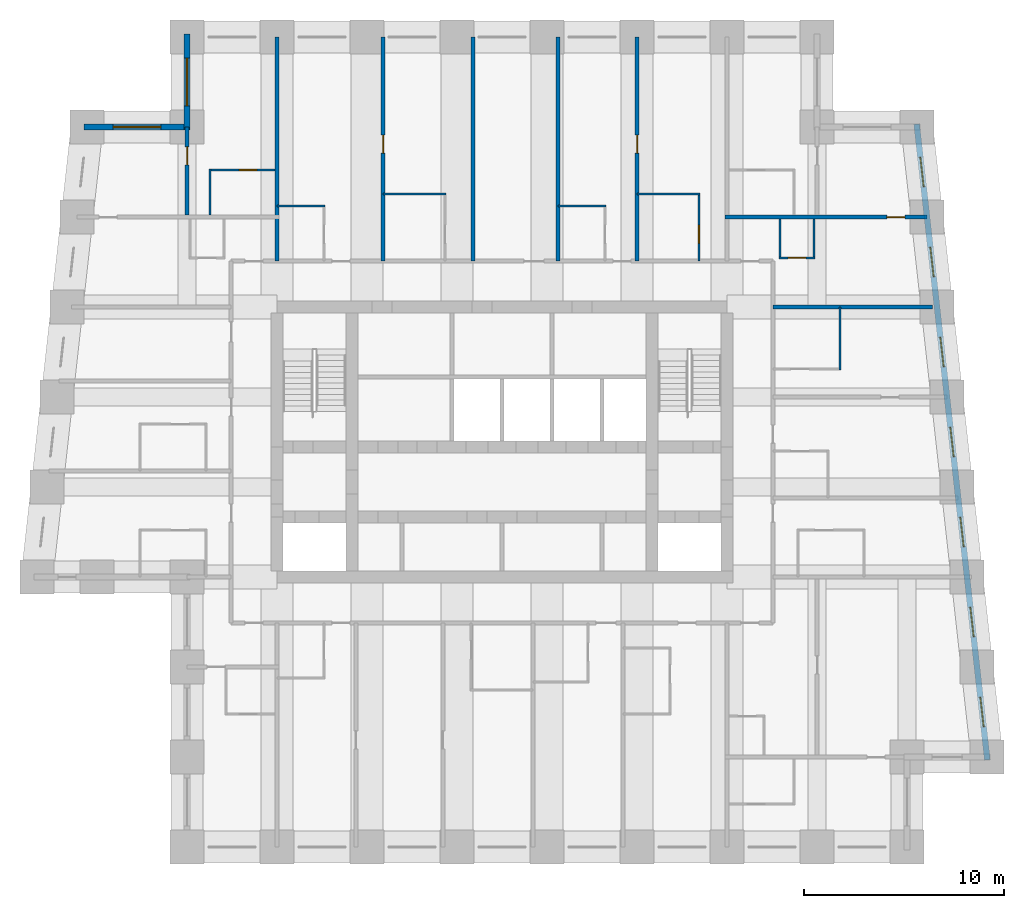
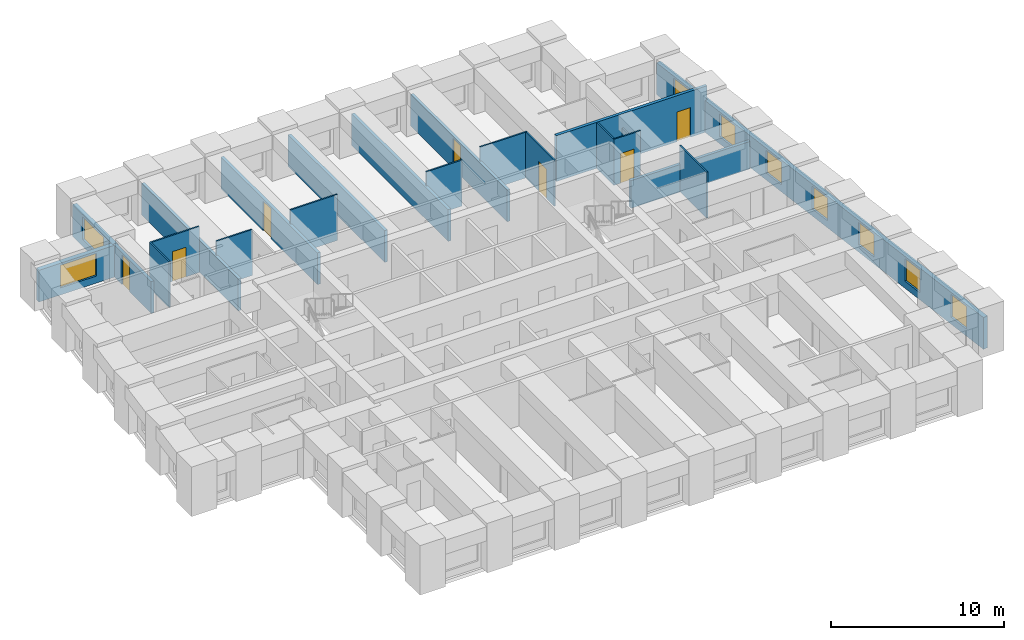
# One storey, part 6 of 8: 22 walls, 9 windows, 7 doors, 16 openings.
"""IFC4 building model written with IfcOpenShell, lengths in metres."""

import ifcopenshell
import ifcopenshell.guid

model = None  # the IFC model being written
_history = None  # IfcOwnerHistory: only IFC2X3 demands one
_inside = {}  # id of a spatial element -> (the spatial element, [elements in it])
_under = {}  # id of a project, library or spatial element -> (it, [spatial elements below it])
_declared = {}  # id of a project -> (the project, [libraries it declares])
_typed = {}  # id of a type object -> (the type object, [elements of that type])
_made_of = {}  # id of a material, layer set ... -> (it, [elements and type objects made of it])


def new_model(schema):
    """Start an empty IFC model of exactly this schema.

    Asked for "IFC4X3", IfcOpenShell would pick the latest addendum, in which some entities
    have other attributes; the version numbers below select the first issue.
    IFC2X3 requires an IfcOwnerHistory on every rooted entity: one is made here for all.
    """
    global model, _history
    if schema == "IFC4X3":
        model = ifcopenshell.file(schema_version=(4, 3, 0, 0))
    else:
        model = ifcopenshell.file(schema=schema)
    _inside.clear()
    _under.clear()
    _declared.clear()
    _typed.clear()
    _made_of.clear()
    _history = None
    if model.schema == "IFC2X3":
        org = make("IfcOrganization", Name="unknown")
        user = make(
            "IfcPersonAndOrganization",
            ThePerson=make("IfcPerson", FamilyName="unknown"),
            TheOrganization=org,
        )
        app = make(
            "IfcApplication",
            ApplicationDeveloper=org,
            Version="unknown",
            ApplicationFullName="unknown",
            ApplicationIdentifier="unknown",
        )
        _history = make(
            "IfcOwnerHistory",
            OwningUser=user,
            OwningApplication=app,
            ChangeAction="ADDED",
            CreationDate=0,
        )
    return model


def make(cls, **values):
    """One entity of the class cls with the attributes given. An attribute that is None is left unset."""
    return model.create_entity(
        cls, **{name: value for name, value in values.items() if value is not None}
    )


def rooted(cls, **values):
    """An entity with a GlobalId (a new one), such as an element, a storey or a relation."""
    return make(cls, GlobalId=ifcopenshell.guid.new(), OwnerHistory=_history, **values)


def si_unit(unit_type, name, prefix=None):
    """IfcSIUnit, for example si_unit("LENGTHUNIT", "METRE", prefix="MILLI")."""
    return make("IfcSIUnit", UnitType=unit_type, Prefix=prefix, Name=name)


def assignment(units):
    """IfcUnitAssignment: the units of a project."""
    return None if units is None else make("IfcUnitAssignment", Units=units)


def point(xyz):
    """IfcCartesianPoint."""
    return None if xyz is None else make("IfcCartesianPoint", Coordinates=xyz)


def direction(xyz):
    """IfcDirection."""
    return None if xyz is None else make("IfcDirection", DirectionRatios=xyz)


def frame(location, z_axis=None, x_axis=None):
    """IfcAxis2Placement3D, a coordinate frame: its origin and axes. An axis left out is left unset."""
    return make(
        "IfcAxis2Placement3D",
        Location=point(location),
        Axis=direction(z_axis),
        RefDirection=direction(x_axis),
    )


def frame_2d(location, x_axis=None):
    """IfcAxis2Placement2D, a coordinate frame in the plane: its origin and x axis."""
    return make(
        "IfcAxis2Placement2D", Location=point(location), RefDirection=direction(x_axis)
    )


def origin():
    """The frame at (0, 0, 0) with its axes left unset."""
    return frame((0.0, 0.0, 0.0))


def place(relative_to, where):
    """IfcLocalPlacement: puts the frame where relative to a parent placement (None: the world)."""
    return make(
        "IfcLocalPlacement", PlacementRelTo=relative_to, RelativePlacement=where
    )


def context(
    kind, dimensions, precision=None, world=None, true_north=None, identifier=None
):
    """IfcGeometricRepresentationContext, for example the 3D "Model" context."""
    return make(
        "IfcGeometricRepresentationContext",
        ContextIdentifier=identifier,
        ContextType=kind,
        CoordinateSpaceDimension=dimensions,
        Precision=precision,
        WorldCoordinateSystem=world,
        TrueNorth=true_north,
    )


def subcontext(parent, identifier, kind, view, scale=None):
    """IfcGeometricRepresentationSubContext, for example "Body" below "Model"."""
    return make(
        "IfcGeometricRepresentationSubContext",
        ContextIdentifier=identifier,
        ContextType=kind,
        ParentContext=parent,
        TargetScale=scale,
        TargetView=view,
    )


def project(units=None, contexts=None):
    """IfcProject with its units and contexts."""
    return rooted(
        "IfcProject",
        Name="project",
        RepresentationContexts=contexts,
        UnitsInContext=assignment(units),
    )


def spatial(cls, under=None, at=None, **own):
    """A site, building, storey or space (cls), placed at a placement, below another one or the project."""
    s = rooted(cls, ObjectPlacement=at, **own)
    if under is not None:
        _under.setdefault(under.id(), (under, []))[1].append(s)
    return s


def profile(cls, at=None, kind="AREA", **sizes):
    """A parametric profile (cls). Its sizes go by their IFC names, for example OverallWidth=200.0."""
    return make(cls, ProfileType=kind, Position=at, **sizes)


def rectangle(**sizes):
    """IfcRectangleProfileDef."""
    return profile("IfcRectangleProfileDef", **sizes)


def extrude(swept, where, along, depth):
    """IfcExtrudedAreaSolid: the profile swept, set in the frame where, extruded along a direction by depth."""
    return make(
        "IfcExtrudedAreaSolid",
        SweptArea=swept,
        Position=where,
        ExtrudedDirection=direction(along),
        Depth=depth,
    )


def shape(context_of_items, identifier, shape_type, items):
    """IfcShapeRepresentation: the items that make up one representation, for example the "Body"."""
    return make(
        "IfcShapeRepresentation",
        ContextOfItems=context_of_items,
        RepresentationIdentifier=identifier,
        RepresentationType=shape_type,
        Items=items,
    )


def material(Name=None, Category=None):
    """IfcMaterial."""
    return make("IfcMaterial", Name=Name, Category=Category)


def layer(
    of_material, thickness, ventilated=None, Name=None, Category=None, Priority=None
):
    """IfcMaterialLayer: one layer of a wall or slab, of a material (None: an air gap)."""
    return make(
        "IfcMaterialLayer",
        Material=of_material,
        LayerThickness=thickness,
        IsVentilated=ventilated,
        Name=Name,
        Category=Category,
        Priority=Priority,
    )


def layer_set(layers, Name=None):
    """IfcMaterialLayerSet."""
    return make("IfcMaterialLayerSet", MaterialLayers=layers, LayerSetName=Name)


def made_of(thing, what):
    """Note that an element or type object is made of a material, layer set ...; save() writes the relation."""
    if what is not None:
        _made_of.setdefault(what.id(), (what, []))[1].append(thing)
    return thing


def type_object(cls, material=None, **own):
    """A type object (cls), such as IfcWallType, which elements share."""
    return made_of(rooted(cls, **own), material)


def element(
    cls,
    number,
    at=None,
    inside=None,
    cuts=None,
    type_object=None,
    material=None,
    context=None,
    identifier="Body",
    shape_type=None,
    held_by="IfcProductDefinitionShape",
    body=None,
    shapes=None,
    **own,
):
    """One element of the class cls, such as IfcWall. Its Tag is "e" and its number.

    at: its placement. inside: the storey or other place that contains it. cuts: it is an
    opening in that element (IfcRelVoidsElement). A single representation is given by context,
    identifier, shape_type and body (its items); several are given by shapes. held_by: the class
    of the entity that holds the representations. save() writes the other relations.
    """
    e = rooted(cls, Tag="e%d" % number, ObjectPlacement=at, **own)
    if body is not None:
        shapes = [shape(context, identifier, shape_type, body)]
    if shapes is not None:
        e.Representation = make(held_by, Representations=shapes)
    if inside is not None:
        _inside.setdefault(inside.id(), (inside, []))[1].append(e)
    if cuts is not None:
        rooted(
            "IfcRelVoidsElement", RelatingBuildingElement=cuts, RelatedOpeningElement=e
        )
    if type_object is not None:
        _typed.setdefault(type_object.id(), (type_object, []))[1].append(e)
    return made_of(e, material)


def fill(opening, filler):
    """IfcRelFillsElement: the door or window that sits in an opening."""
    return rooted(
        "IfcRelFillsElement",
        RelatingOpeningElement=opening,
        RelatedBuildingElement=filler,
    )


def aggregate(whole, parts):
    """IfcRelAggregates: a whole, such as a stair, and the parts it consists of."""
    return rooted("IfcRelAggregates", RelatingObject=whole, RelatedObjects=parts)


def save(model, path):
    """Write the relations noted so far, then the file.

    IfcRelAggregates (storeys below a building ...), IfcRelContainedInSpatialStructure (elements
    in a storey), IfcRelDefinesByType, IfcRelAssociatesMaterial and IfcRelDeclares: one each for
    every whole, place, type object, material and project.
    """
    for whole, parts in _under.values():
        aggregate(whole, parts)
    for where, things in _inside.values():
        rooted(
            "IfcRelContainedInSpatialStructure",
            RelatedElements=things,
            RelatingStructure=where,
        )
    for kind, things in _typed.values():
        rooted("IfcRelDefinesByType", RelatedObjects=things, RelatingType=kind)
    for what, things in _made_of.values():
        rooted("IfcRelAssociatesMaterial", RelatedObjects=things, RelatingMaterial=what)
    for by, libraries in _declared.values():
        rooted("IfcRelDeclares", RelatingContext=by, RelatedDefinitions=libraries)
    model.write(path)


model = new_model("IFC4")

# Units and contexts
model_context = context("Model", 3, precision=1e-05, world=origin(), true_north=direction((0.0, 1.0)))
body_context = subcontext(model_context, "Body", "Model", "MODEL_VIEW")
ifc_project = project(units=[si_unit("LENGTHUNIT", "METRE"), si_unit("AREAUNIT", "SQUARE_METRE"), si_unit("VOLUMEUNIT", "CUBIC_METRE"), si_unit("PLANEANGLEUNIT", "RADIAN"), si_unit("MASSUNIT", "GRAM", prefix="KILO")], contexts=[model_context])

# Site, building, storey
site_placement = place(None, origin())
site = spatial("IfcSite", under=ifc_project, at=site_placement, CompositionType="ELEMENT")
building_placement = place(site_placement, origin())
building = spatial("IfcBuilding", under=site, at=building_placement, Name="Kilele Tower Hotel", CompositionType="ELEMENT")
storey_placement = place(building_placement, frame((0.0, 0.0, 197.39990234375)))
storey = spatial("IfcBuildingStorey", under=building, at=storey_placement, Name="L51", CompositionType="ELEMENT", Elevation=197.39990234375)

# Walls
ifc_material_1 = material(Name="Moisture-resistant board")
ifc_layer_1 = layer(ifc_material_1, 0.10009765625)
ifc_layer_set_1 = layer_set([ifc_layer_1], Name="Moisture-resistant board")
wall_type_1 = type_object("IfcWallType", Name="Bathroom partition 100", PredefinedType="PLUMBINGWALL", material=ifc_layer_set_1)
wall_1_placement = place(storey_placement, frame((41.64990234375, 23.85009765625, 0.0), z_axis=(0.0, 0.0, 1.0), x_axis=(0.0, 1.0, 0.0)))
element("IfcWall", 1, at=wall_1_placement, inside=storey, type_object=wall_type_1, Name="Bathroom partition 100 L51", PredefinedType="PLUMBINGWALL", context=body_context, shape_type="SweptSolid", body=[
    extrude(rectangle(XDim=3.14990234375, YDim=0.10009765625, at=frame_2d((1.574951171875, 0.0))), origin(), (0.0, 0.0, 1.0), 3.25),
])
wall_2_placement = place(storey_placement, frame((13.5, 32.050048828125, 0.0), z_axis=(0.0, 0.0, 1.0), x_axis=(1.0, 0.0, 0.0)))
element("IfcWall", 2, at=wall_2_placement, inside=storey, type_object=wall_type_1, Name="Bathroom partition 100 L51", PredefinedType="PLUMBINGWALL", context=body_context, shape_type="SweptSolid", body=[
    extrude(rectangle(XDim=2.39990234375, YDim=0.10009765625, at=frame_2d((1.199951171875, 0.0))), origin(), (0.0, 0.0, 1.0), 3.25),
])
wall_3_placement = place(storey_placement, frame((18.800048828125, 32.64990234375, 0.0), z_axis=(0.0, 0.0, 1.0), x_axis=(1.0, 0.0, 0.0)))
element("IfcWall", 3, at=wall_3_placement, inside=storey, type_object=wall_type_1, Name="Bathroom partition 100 L51", PredefinedType="PLUMBINGWALL", context=body_context, shape_type="SweptSolid", body=[
    extrude(rectangle(XDim=3.14990234375, YDim=0.10009765625, at=frame_2d((1.574951171875, 0.0))), origin(), (0.0, 0.0, 1.0), 3.25),
])
wall_4_placement = place(storey_placement, frame((27.550048828125, 32.050048828125, 0.0), z_axis=(0.0, 0.0, 1.0), x_axis=(1.0, 0.0, 0.0)))
element("IfcWall", 4, at=wall_4_placement, inside=storey, type_object=wall_type_1, Name="Bathroom partition 100 L51", PredefinedType="PLUMBINGWALL", context=body_context, shape_type="SweptSolid", body=[
    extrude(rectangle(XDim=2.39990234375, YDim=0.10009765625, at=frame_2d((1.199951171875, 0.0))), origin(), (0.0, 0.0, 1.0), 3.25),
])
wall_5_placement = place(storey_placement, frame((31.5, 32.64990234375, 0.0), z_axis=(0.0, 0.0, 1.0), x_axis=(1.0, 0.0, 0.0)))
element("IfcWall", 5, at=wall_5_placement, inside=storey, type_object=wall_type_1, Name="Bathroom partition 100 L51", PredefinedType="PLUMBINGWALL", context=body_context, shape_type="SweptSolid", body=[
    extrude(rectangle(XDim=3.14990234375, YDim=0.10009765625, at=frame_2d((1.574951171875, 0.0))), origin(), (0.0, 0.0, 1.0), 3.25),
])

# Wall, opening, door
wall_6_placement = place(storey_placement, frame((34.60009765625, 29.300048828125, 0.0), z_axis=(0.0, 0.0, 1.0), x_axis=(0.0, 1.0, 0.0)))
wall_6 = element("IfcWall", 6, at=wall_6_placement, inside=storey, type_object=wall_type_1, Name="Bathroom partition 100 L51", PredefinedType="PLUMBINGWALL", context=body_context, shape_type="SweptSolid", body=[
    extrude(rectangle(XDim=3.39990234375, YDim=0.10009765625, at=frame_2d((1.699951171875, 0.0))), origin(), (0.0, 0.0, 1.0), 3.25),
])
opening_1_placement = place(wall_6_placement, frame((1.7998046875, 0.0, 0.0), z_axis=(0.0, 0.0, 1.0), x_axis=(-1.0, 0.0, 0.0)))
opening_1 = element("IfcOpeningElement", 7, at=opening_1_placement, cuts=wall_6, Name="Opening D2A", PredefinedType="OPENING", context=body_context, shape_type="SweptSolid", body=[
    extrude(rectangle(XDim=0.89990234375, YDim=2.10009765625, at=frame_2d((0.449951171875, 1.050048828125))), frame((0.0, 0.06005859375, 0.0), z_axis=(0.0, -1.0, 0.0), x_axis=(1.0, 0.0, 0.0)), (0.0, 0.0, 1.0), 0.1201171875),
])
ifc_material_2 = material(Name="Timber door leaf in hardwood frame", Category="wood")
door_type_1 = type_object("IfcDoorType", Name="Bathroom door 900", OperationType="SINGLE_SWING_LEFT", PredefinedType="DOOR", material=ifc_material_2)
door_1_placement = place(opening_1_placement, origin())
door_1 = element("IfcDoor", 8, at=door_1_placement, inside=storey, type_object=door_type_1, Name="Bathroom door 5113B", OperationType="SINGLE_SWING_RIGHT", OverallHeight=2.10009765625, OverallWidth=0.89990234375, PredefinedType="DOOR", context=body_context, shape_type="SweptSolid", body=[
    extrude(rectangle(XDim=0.89990234375, YDim=2.10009765625, at=frame_2d((0.449951171875, 1.050048828125))), frame((0.0, 0.02490234375, 0.0), z_axis=(0.0, -1.0, 0.0), x_axis=(1.0, 0.0, 0.0)), (0.0, 0.0, 1.0), 0.050048828125),
])
fill(opening_1, door_1)

# Walls
wall_7_placement = place(storey_placement, frame((40.35009765625, 31.39990234375, 0.0), z_axis=(0.0, 0.0, 1.0), x_axis=(0.0, -1.0, 0.0)))
element("IfcWall", 9, at=wall_7_placement, inside=storey, type_object=wall_type_1, Name="Bathroom partition 100 L51", PredefinedType="PLUMBINGWALL", context=body_context, shape_type="SweptSolid", body=[
    extrude(rectangle(XDim=2.0, YDim=0.10009765625, at=frame_2d((1.0, 0.0))), origin(), (0.0, 0.0, 1.0), 2.25),
])
wall_8_placement = place(storey_placement, frame((38.64990234375, 31.39990234375, 0.0), z_axis=(0.0, 0.0, 1.0), x_axis=(0.0, -1.0, 0.0)))
element("IfcWall", 10, at=wall_8_placement, inside=storey, type_object=wall_type_1, Name="Bathroom partition 100 L51", PredefinedType="PLUMBINGWALL", context=body_context, shape_type="SweptSolid", body=[
    extrude(rectangle(XDim=2.0, YDim=0.10009765625, at=frame_2d((1.0, 0.0))), origin(), (0.0, 0.0, 1.0), 3.25),
])

# Wall, opening, door
wall_9_placement = place(storey_placement, frame((38.60009765625, 29.449951171875, 0.0), z_axis=(0.0, 0.0, 1.0), x_axis=(1.0, 0.0, 0.0)))
wall_9 = element("IfcWall", 11, at=wall_9_placement, inside=storey, type_object=wall_type_1, Name="Bathroom partition 100 L51", PredefinedType="PLUMBINGWALL", context=body_context, shape_type="SweptSolid", body=[
    extrude(rectangle(XDim=1.7998046875, YDim=0.10009765625, at=frame_2d((0.89990234375, 0.0))), origin(), (0.0, 0.0, 1.0), 3.25),
])
opening_2_placement = place(wall_9_placement, frame((1.349853515625, 0.0, 0.0), z_axis=(0.0, 0.0, 1.0), x_axis=(-1.0, 0.0, 0.0)))
opening_2 = element("IfcOpeningElement", 12, at=opening_2_placement, cuts=wall_9, Name="Opening D2A", PredefinedType="OPENING", context=body_context, shape_type="SweptSolid", body=[
    extrude(rectangle(XDim=0.89990234375, YDim=2.10009765625, at=frame_2d((0.449951171875, 1.050048828125))), frame((0.0, 0.06005859375, 0.0), z_axis=(0.0, -1.0, 0.0), x_axis=(1.0, 0.0, 0.0)), (0.0, 0.0, 1.0), 0.1201171875),
])
door_2_placement = place(opening_2_placement, origin())
door_2 = element("IfcDoor", 13, at=door_2_placement, inside=storey, type_object=door_type_1, Name="Bathroom door 5122P", OperationType="SINGLE_SWING_RIGHT", OverallHeight=2.10009765625, OverallWidth=0.89990234375, PredefinedType="DOOR", context=body_context, shape_type="SweptSolid", body=[
    extrude(rectangle(XDim=0.89990234375, YDim=2.10009765625, at=frame_2d((0.449951171875, 1.050048828125))), frame((0.0, 0.02490234375, 0.0), z_axis=(0.0, -1.0, 0.0), x_axis=(1.0, 0.0, 0.0)), (0.0, 0.0, 1.0), 0.050048828125),
])
fill(opening_2, door_2)

# Wall
wall_10_placement = place(storey_placement, frame((10.14990234375, 31.60009765625, 0.0), z_axis=(0.0, 0.0, 1.0), x_axis=(0.0, 1.0, 0.0)))
element("IfcWall", 14, at=wall_10_placement, inside=storey, type_object=wall_type_1, Name="Bathroom partition 100 L51", PredefinedType="PLUMBINGWALL", context=body_context, shape_type="SweptSolid", body=[
    extrude(rectangle(XDim=2.2998046875, YDim=0.10009765625, at=frame_2d((1.14990234375, 0.0))), origin(), (0.0, 0.0, 1.0), 3.25),
])

# Wall, opening, door
wall_11_placement = place(storey_placement, frame((13.39990234375, 33.85009765625, 0.0), z_axis=(0.0, 0.0, 1.0), x_axis=(-1.0, 0.0, 0.0)))
wall_11 = element("IfcWall", 15, at=wall_11_placement, inside=storey, type_object=wall_type_1, Name="Bathroom partition 100 L51", PredefinedType="PLUMBINGWALL", context=body_context, shape_type="SweptSolid", body=[
    extrude(rectangle(XDim=3.2998046875, YDim=0.10009765625, at=frame_2d((1.64990234375, 0.0))), origin(), (0.0, 0.0, 1.0), 3.25),
])
opening_3_placement = place(wall_11_placement, frame((1.7998046875, 0.0, 0.0), z_axis=(0.0, 0.0, 1.0), x_axis=(-1.0, 0.0, 0.0)))
opening_3 = element("IfcOpeningElement", 16, at=opening_3_placement, cuts=wall_11, Name="Opening D2A", PredefinedType="OPENING", context=body_context, shape_type="SweptSolid", body=[
    extrude(rectangle(XDim=0.89990234375, YDim=2.10009765625, at=frame_2d((0.449951171875, 1.050048828125))), frame((0.0, 0.06005859375, 0.0), z_axis=(0.0, -1.0, 0.0), x_axis=(1.0, 0.0, 0.0)), (0.0, 0.0, 1.0), 0.1201171875),
])
door_3_placement = place(opening_3_placement, origin())
door_3 = element("IfcDoor", 17, at=door_3_placement, inside=storey, type_object=door_type_1, Name="Bathroom door 5126B", OperationType="SINGLE_SWING_RIGHT", OverallHeight=2.10009765625, OverallWidth=0.89990234375, PredefinedType="DOOR", context=body_context, shape_type="SweptSolid", body=[
    extrude(rectangle(XDim=0.89990234375, YDim=2.10009765625, at=frame_2d((0.449951171875, 1.050048828125))), frame((0.0, 0.02490234375, 0.0), z_axis=(0.0, -1.0, 0.0), x_axis=(1.0, 0.0, 0.0)), (0.0, 0.0, 1.0), 0.050048828125),
])
fill(opening_3, door_3)

ifc_material_3 = material(Name="Blockwork, plastered both sides", Category="masonry")
ifc_layer_2 = layer(ifc_material_3, 0.199951171875)
ifc_layer_set_2 = layer_set([ifc_layer_2], Name="Blockwork, plastered both sides")
wall_type_2 = type_object("IfcWallType", Name="Partition wall 200", PredefinedType="PARTITIONING", material=ifc_layer_set_2)
wall_12_placement = place(storey_placement, frame((9.0, 31.60009765625, 0.0), z_axis=(0.0, 0.0, 1.0), x_axis=(0.0, 1.0, 0.0)))
wall_12 = element("IfcWall", 18, at=wall_12_placement, inside=storey, type_object=wall_type_2, Name="Partition wall 200 L51", PredefinedType="PARTITIONING", context=body_context, shape_type="SweptSolid", body=[
    extrude(rectangle(XDim=4.39990234375, YDim=0.199951171875, at=frame_2d((2.199951171875, 0.0))), origin(), (0.0, 0.0, 1.0), 2.25),
])
opening_4_placement = place(wall_12_placement, frame((2.5, 0.0, 0.0)))
opening_4 = element("IfcOpeningElement", 19, at=opening_4_placement, cuts=wall_12, Name="Opening D3", PredefinedType="OPENING", context=body_context, shape_type="SweptSolid", body=[
    extrude(rectangle(XDim=0.89990234375, YDim=2.10009765625, at=frame_2d((0.449951171875, 1.050048828125))), frame((0.0, 0.10986328125, 0.0), z_axis=(0.0, -1.0, 0.0), x_axis=(1.0, 0.0, 0.0)), (0.0, 0.0, 1.0), 0.219970703125),
])
ifc_material_4 = material(Name="Timber door leaf in hardwood frame", Category="wood")
door_type_2 = type_object("IfcDoorType", Name="Suite internal door 900", OperationType="SINGLE_SWING_LEFT", PredefinedType="DOOR", material=ifc_material_4)
door_4_placement = place(opening_4_placement, origin())
door_4 = element("IfcDoor", 20, at=door_4_placement, inside=storey, type_object=door_type_2, Name="Suite door 5127", OperationType="SINGLE_SWING_RIGHT", OverallHeight=2.10009765625, OverallWidth=0.89990234375, PredefinedType="DOOR", context=body_context, shape_type="SweptSolid", body=[
    extrude(rectangle(XDim=0.89990234375, YDim=2.10009765625, at=frame_2d((0.449951171875, 1.050048828125))), frame((0.0, 0.02490234375, 0.0), z_axis=(0.0, -1.0, 0.0), x_axis=(1.0, 0.0, 0.0)), (0.0, 0.0, 1.0), 0.050048828125),
])
fill(opening_4, door_4)

ifc_material_5 = material(Name="Blockwork, plastered both sides", Category="masonry")
ifc_layer_3 = layer(ifc_material_5, 0.199951171875)
ifc_layer_set_3 = layer_set([ifc_layer_3], Name="Blockwork, plastered both sides")
wall_type_3 = type_object("IfcWallType", Name="Party wall 200", PredefinedType="PARTITIONING", material=ifc_layer_set_3)
wall_13_placement = place(storey_placement, frame((18.800048828125, 29.300048828125, 0.0), z_axis=(0.0, 0.0, 1.0), x_axis=(0.0, 1.0, 0.0)))
wall_13 = element("IfcWall", 21, at=wall_13_placement, inside=storey, type_object=wall_type_3, Name="Party wall 200 L51", PredefinedType="PARTITIONING", context=body_context, shape_type="SweptSolid", body=[
    extrude(rectangle(XDim=11.199951171875, YDim=0.199951171875, at=frame_2d((5.60009765625, 0.0))), origin(), (0.0, 0.0, 1.0), 2.25),
])
opening_5_placement = place(wall_13_placement, frame((5.39990234375, 0.0, 0.0)))
opening_5 = element("IfcOpeningElement", 22, at=opening_5_placement, cuts=wall_13, Name="Opening D3", PredefinedType="OPENING", context=body_context, shape_type="SweptSolid", body=[
    extrude(rectangle(XDim=0.89990234375, YDim=2.10009765625, at=frame_2d((0.449951171875, 1.050048828125))), frame((0.0, 0.10986328125, 0.0), z_axis=(0.0, -1.0, 0.0), x_axis=(1.0, 0.0, 0.0)), (0.0, 0.0, 1.0), 0.219970703125),
])
door_5_placement = place(opening_5_placement, origin())
door_5 = element("IfcDoor", 23, at=door_5_placement, inside=storey, type_object=door_type_2, Name="Suite door 5110", OperationType="SINGLE_SWING_RIGHT", OverallHeight=2.10009765625, OverallWidth=0.89990234375, PredefinedType="DOOR", context=body_context, shape_type="SweptSolid", body=[
    extrude(rectangle(XDim=0.89990234375, YDim=2.10009765625, at=frame_2d((0.449951171875, 1.050048828125))), frame((0.0, 0.02490234375, 0.0), z_axis=(0.0, -1.0, 0.0), x_axis=(1.0, 0.0, 0.0)), (0.0, 0.0, 1.0), 0.050048828125),
])
fill(opening_5, door_5)

# Walls
for number, where, z_axis, x_axis, name in (
    (24, (23.300048828125, 29.300048828125, 0.0), (0.0, 0.0, 1.0), (0.0, 1.0, 0.0), "Party wall 200 L51"),
    (25, (27.550048828125, 29.300048828125, 0.0), (0.0, 0.0, 1.0), (0.0, 1.0, 0.0), "Party wall 200 L51"),
):
    element("IfcWall", number, at=place(storey_placement, frame(where, z_axis=z_axis, x_axis=x_axis)), inside=storey, type_object=wall_type_3, Name=name, PredefinedType="PARTITIONING", context=body_context, shape_type="SweptSolid", body=[
        extrude(rectangle(XDim=11.199951171875, YDim=0.199951171875, at=frame_2d((5.60009765625, 0.0))), origin(), (0.0, 0.0, 1.0), 2.25),
    ])

# Wall, opening, door
wall_14_placement = place(storey_placement, frame((31.5, 29.300048828125, 0.0), z_axis=(0.0, 0.0, 1.0), x_axis=(0.0, 1.0, 0.0)))
wall_14 = element("IfcWall", 26, at=wall_14_placement, inside=storey, type_object=wall_type_3, Name="Party wall 200 L51", PredefinedType="PARTITIONING", context=body_context, shape_type="SweptSolid", body=[
    extrude(rectangle(XDim=11.199951171875, YDim=0.199951171875, at=frame_2d((5.60009765625, 0.0))), origin(), (0.0, 0.0, 1.0), 2.25),
])
opening_6_placement = place(wall_14_placement, frame((5.39990234375, 0.0, 0.0)))
opening_6 = element("IfcOpeningElement", 27, at=opening_6_placement, cuts=wall_14, Name="Opening D3", PredefinedType="OPENING", context=body_context, shape_type="SweptSolid", body=[
    extrude(rectangle(XDim=0.89990234375, YDim=2.10009765625, at=frame_2d((0.449951171875, 1.050048828125))), frame((0.0, 0.10986328125, 0.0), z_axis=(0.0, -1.0, 0.0), x_axis=(1.0, 0.0, 0.0)), (0.0, 0.0, 1.0), 0.219970703125),
])
door_6_placement = place(opening_6_placement, origin())
door_6 = element("IfcDoor", 28, at=door_6_placement, inside=storey, type_object=door_type_2, Name="Suite door 5113", OperationType="SINGLE_SWING_RIGHT", OverallHeight=2.10009765625, OverallWidth=0.89990234375, PredefinedType="DOOR", context=body_context, shape_type="SweptSolid", body=[
    extrude(rectangle(XDim=0.89990234375, YDim=2.10009765625, at=frame_2d((0.449951171875, 1.050048828125))), frame((0.0, 0.02490234375, 0.0), z_axis=(0.0, -1.0, 0.0), x_axis=(1.0, 0.0, 0.0)), (0.0, 0.0, 1.0), 0.050048828125),
])
fill(opening_6, door_6)

# Wall
wall_15_placement = place(storey_placement, frame((38.300048828125, 27.0, 0.0), z_axis=(0.0, 0.0, 1.0), x_axis=(1.0, 0.0, 0.0)))
element("IfcWall", 29, at=wall_15_placement, inside=storey, type_object=wall_type_3, Name="Party wall 200 L51", PredefinedType="PARTITIONING", context=body_context, shape_type="SweptSolid", body=[
    extrude(rectangle(XDim=7.976806640625, YDim=0.199951171875, at=frame_2d((3.98828125, 0.0))), origin(), (0.0, 0.0, 1.0), 1.9501953125),
])

# Wall, opening, door
wall_16_placement = place(storey_placement, frame((35.89990234375, 31.5, 0.0), z_axis=(0.0, 0.0, 1.0), x_axis=(1.0, 0.0, 0.0)))
wall_16 = element("IfcWall", 30, at=wall_16_placement, inside=storey, type_object=wall_type_3, Name="Party wall 200 L51", PredefinedType="PARTITIONING", context=body_context, shape_type="SweptSolid", body=[
    extrude(rectangle(XDim=10.09912109375, YDim=0.199951171875, at=frame_2d((5.049560546875, 0.0))), origin(), (0.0, 0.0, 1.0), 3.25),
])
opening_7_placement = place(wall_16_placement, frame((8.09912109375, 0.0, 0.0)))
opening_7 = element("IfcOpeningElement", 31, at=opening_7_placement, cuts=wall_16, Name="Opening D3", PredefinedType="OPENING", context=body_context, shape_type="SweptSolid", body=[
    extrude(rectangle(XDim=0.89990234375, YDim=2.10009765625, at=frame_2d((0.449951171875, 1.050048828125))), frame((0.0, 0.10986328125, 0.0), z_axis=(0.0, -1.0, 0.0), x_axis=(1.0, 0.0, 0.0)), (0.0, 0.0, 1.0), 0.219970703125),
])
door_7_placement = place(opening_7_placement, origin())
door_7 = element("IfcDoor", 32, at=door_7_placement, inside=storey, type_object=door_type_2, Name="Suite door 5123", OperationType="SINGLE_SWING_RIGHT", OverallHeight=2.10009765625, OverallWidth=0.89990234375, PredefinedType="DOOR", context=body_context, shape_type="SweptSolid", body=[
    extrude(rectangle(XDim=0.89990234375, YDim=2.10009765625, at=frame_2d((0.449951171875, 1.050048828125))), frame((0.0, 0.02490234375, 0.0), z_axis=(0.0, -1.0, 0.0), x_axis=(1.0, 0.0, 0.0)), (0.0, 0.0, 1.0), 0.050048828125),
])
fill(opening_7, door_7)

# Wall
wall_17_placement = place(storey_placement, frame((13.5, 29.300048828125, 0.0), z_axis=(0.0, 0.0, 1.0), x_axis=(0.0, 1.0, 0.0)))
element("IfcWall", 33, at=wall_17_placement, inside=storey, type_object=wall_type_3, Name="Party wall 200 L51", PredefinedType="PARTITIONING", context=body_context, shape_type="SweptSolid", body=[
    extrude(rectangle(XDim=11.199951171875, YDim=0.199951171875, at=frame_2d((5.60009765625, 0.0))), origin(), (0.0, 0.0, 1.0), 2.25),
])

# Wall, openings, windows
ifc_material_6 = material(Name="Concrete C40/50 precast", Category="concrete")
ifc_layer_4 = layer(ifc_material_6, 0.260009765625, Name="Precast backing", Category="LoadBearing")
ifc_material_7 = material(Name="Reconstituted stone finish", Category="masonry")
ifc_layer_5 = layer(ifc_material_7, 0.0400390625, Name="Face mix", Category="Finish")
ifc_layer_set_4 = layer_set([ifc_layer_4, ifc_layer_5], Name="Precast concrete C40/50, reconstituted stone finish")
wall_type_4 = type_object("IfcWallType", Name="Precast stone facade wall 300", PredefinedType="STANDARD", material=ifc_layer_set_4)
wall_18_placement = place(storey_placement, frame((49.0166015625, 4.350830078125, 0.0), z_axis=(0.0, 0.0, 1.0), x_axis=(-0.110433201132, 0.993883548555, 0.0)))
wall_18 = element("IfcWall", 34, at=wall_18_placement, inside=storey, type_object=wall_type_4, Name="Facade wall L51 edge 6", PredefinedType="STANDARD", context=body_context, shape_type="SweptSolid", body=[
    extrude(rectangle(XDim=31.994140625, YDim=0.300048828125, at=frame_2d((15.9970703125, 0.0))), origin(), (0.0, 0.0, 1.0), 2.25),
])
opening_8_placement = place(wall_18_placement, frame((1.6640625, 0.0, 0.5)))
opening_8 = element("IfcOpeningElement", 35, at=opening_8_placement, cuts=wall_18, Name="Opening W3", PredefinedType="OPENING", context=body_context, shape_type="SweptSolid", body=[
    extrude(rectangle(XDim=1.5, YDim=1.60009765625, at=frame_2d((0.75, 0.800048828125))), frame((0.0, 0.159912109375, 0.0), z_axis=(0.0, -1.0, 0.0), x_axis=(1.0, 0.0, 0.0)), (0.0, 0.0, 1.0), 0.320068359375),
])
opening_9_placement = place(wall_18_placement, frame((6.19189453125, 0.0, 0.5)))
opening_9 = element("IfcOpeningElement", 36, at=opening_9_placement, cuts=wall_18, Name="Opening W3", PredefinedType="OPENING", context=body_context, shape_type="SweptSolid", body=[
    extrude(rectangle(XDim=1.5, YDim=1.60009765625, at=frame_2d((0.75, 0.800048828125))), frame((0.0, 0.159912109375, 0.0), z_axis=(0.0, -1.0, 0.0), x_axis=(1.0, 0.0, 0.0)), (0.0, 0.0, 1.0), 0.320068359375),
])
opening_10_placement = place(wall_18_placement, frame((10.718994140625, 0.0, 0.5)))
opening_10 = element("IfcOpeningElement", 37, at=opening_10_placement, cuts=wall_18, Name="Opening W3", PredefinedType="OPENING", context=body_context, shape_type="SweptSolid", body=[
    extrude(rectangle(XDim=1.5, YDim=1.60009765625, at=frame_2d((0.75, 0.800048828125))), frame((0.0, 0.159912109375, 0.0), z_axis=(0.0, -1.0, 0.0), x_axis=(1.0, 0.0, 0.0)), (0.0, 0.0, 1.0), 0.320068359375),
])
opening_11_placement = place(wall_18_placement, frame((15.2470703125, 0.0, 0.5)))
opening_11 = element("IfcOpeningElement", 38, at=opening_11_placement, cuts=wall_18, Name="Opening W3", PredefinedType="OPENING", context=body_context, shape_type="SweptSolid", body=[
    extrude(rectangle(XDim=1.5, YDim=1.60009765625, at=frame_2d((0.75, 0.800048828125))), frame((0.0, 0.159912109375, 0.0), z_axis=(0.0, -1.0, 0.0), x_axis=(1.0, 0.0, 0.0)), (0.0, 0.0, 1.0), 0.320068359375),
])
opening_12_placement = place(wall_18_placement, frame((19.77490234375, 0.0, 0.5)))
opening_12 = element("IfcOpeningElement", 39, at=opening_12_placement, cuts=wall_18, Name="Opening W3", PredefinedType="OPENING", context=body_context, shape_type="SweptSolid", body=[
    extrude(rectangle(XDim=1.5, YDim=1.60009765625, at=frame_2d((0.75, 0.800048828125))), frame((0.0, 0.159912109375, 0.0), z_axis=(0.0, -1.0, 0.0), x_axis=(1.0, 0.0, 0.0)), (0.0, 0.0, 1.0), 0.320068359375),
])
opening_13_placement = place(wall_18_placement, frame((24.302001953125, 0.0, 0.5)))
opening_13 = element("IfcOpeningElement", 40, at=opening_13_placement, cuts=wall_18, Name="Opening W3", PredefinedType="OPENING", context=body_context, shape_type="SweptSolid", body=[
    extrude(rectangle(XDim=1.5, YDim=1.60009765625, at=frame_2d((0.75, 0.800048828125))), frame((0.0, 0.159912109375, 0.0), z_axis=(0.0, -1.0, 0.0), x_axis=(1.0, 0.0, 0.0)), (0.0, 0.0, 1.0), 0.320068359375),
])
opening_14_placement = place(wall_18_placement, frame((28.830078125, 0.0, 0.5)))
opening_14 = element("IfcOpeningElement", 41, at=opening_14_placement, cuts=wall_18, Name="Opening W3", PredefinedType="OPENING", context=body_context, shape_type="SweptSolid", body=[
    extrude(rectangle(XDim=1.5, YDim=1.60009765625, at=frame_2d((0.75, 0.800048828125))), frame((0.0, 0.159912109375, 0.0), z_axis=(0.0, -1.0, 0.0), x_axis=(1.0, 0.0, 0.0)), (0.0, 0.0, 1.0), 0.320068359375),
])
ifc_material_8 = material(Name="Aluminium frame, clear double glazing", Category="aluminium")
window_type_1 = type_object("IfcWindowType", Name="Window W3 1500 x 1600", PartitioningType="SINGLE_PANEL", PredefinedType="WINDOW", material=ifc_material_8)
window_1_placement = place(opening_8_placement, origin())
window_1 = element("IfcWindow", 42, at=window_1_placement, inside=storey, type_object=window_type_1, Name="Window L51", OverallHeight=1.60009765625, OverallWidth=1.5, PartitioningType="SINGLE_PANEL", PredefinedType="WINDOW", context=body_context, shape_type="SweptSolid", body=[
    extrude(rectangle(XDim=1.5, YDim=1.60009765625, at=frame_2d((0.75, 0.800048828125))), frame((0.0, 0.030029296875, 0.0), z_axis=(0.0, -1.0, 0.0), x_axis=(1.0, 0.0, 0.0)), (0.0, 0.0, 1.0), 0.06005859375),
])
fill(opening_8, window_1)
window_2_placement = place(opening_9_placement, origin())
window_2 = element("IfcWindow", 43, at=window_2_placement, inside=storey, type_object=window_type_1, Name="Window L51", OverallHeight=1.60009765625, OverallWidth=1.5, PartitioningType="SINGLE_PANEL", PredefinedType="WINDOW", context=body_context, shape_type="SweptSolid", body=[
    extrude(rectangle(XDim=1.5, YDim=1.60009765625, at=frame_2d((0.75, 0.800048828125))), frame((0.0, 0.030029296875, 0.0), z_axis=(0.0, -1.0, 0.0), x_axis=(1.0, 0.0, 0.0)), (0.0, 0.0, 1.0), 0.06005859375),
])
fill(opening_9, window_2)
window_3_placement = place(opening_10_placement, origin())
window_3 = element("IfcWindow", 44, at=window_3_placement, inside=storey, type_object=window_type_1, Name="Window L51", OverallHeight=1.60009765625, OverallWidth=1.5, PartitioningType="SINGLE_PANEL", PredefinedType="WINDOW", context=body_context, shape_type="SweptSolid", body=[
    extrude(rectangle(XDim=1.5, YDim=1.60009765625, at=frame_2d((0.75, 0.800048828125))), frame((0.0, 0.030029296875, 0.0), z_axis=(0.0, -1.0, 0.0), x_axis=(1.0, 0.0, 0.0)), (0.0, 0.0, 1.0), 0.06005859375),
])
fill(opening_10, window_3)
window_4_placement = place(opening_11_placement, origin())
window_4 = element("IfcWindow", 45, at=window_4_placement, inside=storey, type_object=window_type_1, Name="Window L51", OverallHeight=1.60009765625, OverallWidth=1.5, PartitioningType="SINGLE_PANEL", PredefinedType="WINDOW", context=body_context, shape_type="SweptSolid", body=[
    extrude(rectangle(XDim=1.5, YDim=1.60009765625, at=frame_2d((0.75, 0.800048828125))), frame((0.0, 0.030029296875, 0.0), z_axis=(0.0, -1.0, 0.0), x_axis=(1.0, 0.0, 0.0)), (0.0, 0.0, 1.0), 0.06005859375),
])
fill(opening_11, window_4)
window_5_placement = place(opening_12_placement, origin())
window_5 = element("IfcWindow", 46, at=window_5_placement, inside=storey, type_object=window_type_1, Name="Window L51", OverallHeight=1.60009765625, OverallWidth=1.5, PartitioningType="SINGLE_PANEL", PredefinedType="WINDOW", context=body_context, shape_type="SweptSolid", body=[
    extrude(rectangle(XDim=1.5, YDim=1.60009765625, at=frame_2d((0.75, 0.800048828125))), frame((0.0, 0.030029296875, 0.0), z_axis=(0.0, -1.0, 0.0), x_axis=(1.0, 0.0, 0.0)), (0.0, 0.0, 1.0), 0.06005859375),
])
fill(opening_12, window_5)
window_6_placement = place(opening_13_placement, origin())
window_6 = element("IfcWindow", 47, at=window_6_placement, inside=storey, type_object=window_type_1, Name="Window L51", OverallHeight=1.60009765625, OverallWidth=1.5, PartitioningType="SINGLE_PANEL", PredefinedType="WINDOW", context=body_context, shape_type="SweptSolid", body=[
    extrude(rectangle(XDim=1.5, YDim=1.60009765625, at=frame_2d((0.75, 0.800048828125))), frame((0.0, 0.030029296875, 0.0), z_axis=(0.0, -1.0, 0.0), x_axis=(1.0, 0.0, 0.0)), (0.0, 0.0, 1.0), 0.06005859375),
])
fill(opening_13, window_6)
window_7_placement = place(opening_14_placement, origin())
window_7 = element("IfcWindow", 48, at=window_7_placement, inside=storey, type_object=window_type_1, Name="Window L51", OverallHeight=1.60009765625, OverallWidth=1.5, PartitioningType="SINGLE_PANEL", PredefinedType="WINDOW", context=body_context, shape_type="SweptSolid", body=[
    extrude(rectangle(XDim=1.5, YDim=1.60009765625, at=frame_2d((0.75, 0.800048828125))), frame((0.0, 0.030029296875, 0.0), z_axis=(0.0, -1.0, 0.0), x_axis=(1.0, 0.0, 0.0)), (0.0, 0.0, 1.0), 0.06005859375),
])
fill(opening_14, window_7)

# Wall, opening, window
wall_19_placement = place(storey_placement, frame((9.0, 40.64990234375, 0.0), z_axis=(0.0, 0.0, 1.0), x_axis=(0.0, -1.0, 0.0)))
wall_19 = element("IfcWall", 49, at=wall_19_placement, inside=storey, type_object=wall_type_4, Name="Facade wall L51 edge 10", PredefinedType="STANDARD", context=body_context, shape_type="SweptSolid", body=[
    extrude(rectangle(XDim=4.7998046875, YDim=0.300048828125, at=frame_2d((2.39990234375, 0.0))), origin(), (0.0, 0.0, 1.0), 2.25),
])
opening_15_placement = place(wall_19_placement, frame((1.199951171875, 0.0, 0.5)))
opening_15 = element("IfcOpeningElement", 50, at=opening_15_placement, cuts=wall_19, Name="Opening W3", PredefinedType="OPENING", context=body_context, shape_type="SweptSolid", body=[
    extrude(rectangle(XDim=2.39990234375, YDim=1.60009765625, at=frame_2d((1.199951171875, 0.800048828125))), frame((0.0, 0.159912109375, 0.0), z_axis=(0.0, -1.0, 0.0), x_axis=(1.0, 0.0, 0.0)), (0.0, 0.0, 1.0), 0.320068359375),
])
ifc_material_9 = material(Name="Aluminium frame, clear double glazing", Category="aluminium")
window_type_2 = type_object("IfcWindowType", Name="Window W3 2400 x 1600", PartitioningType="SINGLE_PANEL", PredefinedType="WINDOW", material=ifc_material_9)
window_8_placement = place(opening_15_placement, origin())
window_8 = element("IfcWindow", 51, at=window_8_placement, inside=storey, type_object=window_type_2, Name="Window L51", OverallHeight=1.60009765625, OverallWidth=2.39990234375, PartitioningType="SINGLE_PANEL", PredefinedType="WINDOW", context=body_context, shape_type="SweptSolid", body=[
    extrude(rectangle(XDim=2.39990234375, YDim=1.60009765625, at=frame_2d((1.199951171875, 0.800048828125))), frame((0.0, 0.030029296875, 0.0), z_axis=(0.0, -1.0, 0.0), x_axis=(1.0, 0.0, 0.0)), (0.0, 0.0, 1.0), 0.06005859375),
])
fill(opening_15, window_8)

wall_20_placement = place(storey_placement, frame((9.14990234375, 36.0, 0.0), z_axis=(0.0, 0.0, 1.0), x_axis=(-1.0, 0.0, 0.0)))
wall_20 = element("IfcWall", 52, at=wall_20_placement, inside=storey, type_object=wall_type_4, Name="Facade wall L51 edge 11", PredefinedType="STANDARD", context=body_context, shape_type="SweptSolid", body=[
    extrude(rectangle(XDim=5.2998046875, YDim=0.300048828125, at=frame_2d((2.64990234375, 0.0))), origin(), (0.0, 0.0, 1.0), 2.25),
])
opening_16_placement = place(wall_20_placement, frame((1.449951171875, 0.0, 0.5)))
opening_16 = element("IfcOpeningElement", 53, at=opening_16_placement, cuts=wall_20, Name="Opening W3", PredefinedType="OPENING", context=body_context, shape_type="SweptSolid", body=[
    extrude(rectangle(XDim=2.39990234375, YDim=1.60009765625, at=frame_2d((1.199951171875, 0.800048828125))), frame((0.0, 0.159912109375, 0.0), z_axis=(0.0, -1.0, 0.0), x_axis=(1.0, 0.0, 0.0)), (0.0, 0.0, 1.0), 0.320068359375),
])
window_9_placement = place(opening_16_placement, origin())
window_9 = element("IfcWindow", 54, at=window_9_placement, inside=storey, type_object=window_type_2, Name="Window L51", OverallHeight=1.60009765625, OverallWidth=2.39990234375, PartitioningType="SINGLE_PANEL", PredefinedType="WINDOW", context=body_context, shape_type="SweptSolid", body=[
    extrude(rectangle(XDim=2.39990234375, YDim=1.60009765625, at=frame_2d((1.199951171875, 0.800048828125))), frame((0.0, 0.030029296875, 0.0), z_axis=(0.0, -1.0, 0.0), x_axis=(1.0, 0.0, 0.0)), (0.0, 0.0, 1.0), 0.06005859375),
])
fill(opening_16, window_9)

save(model, "model.ifc")
